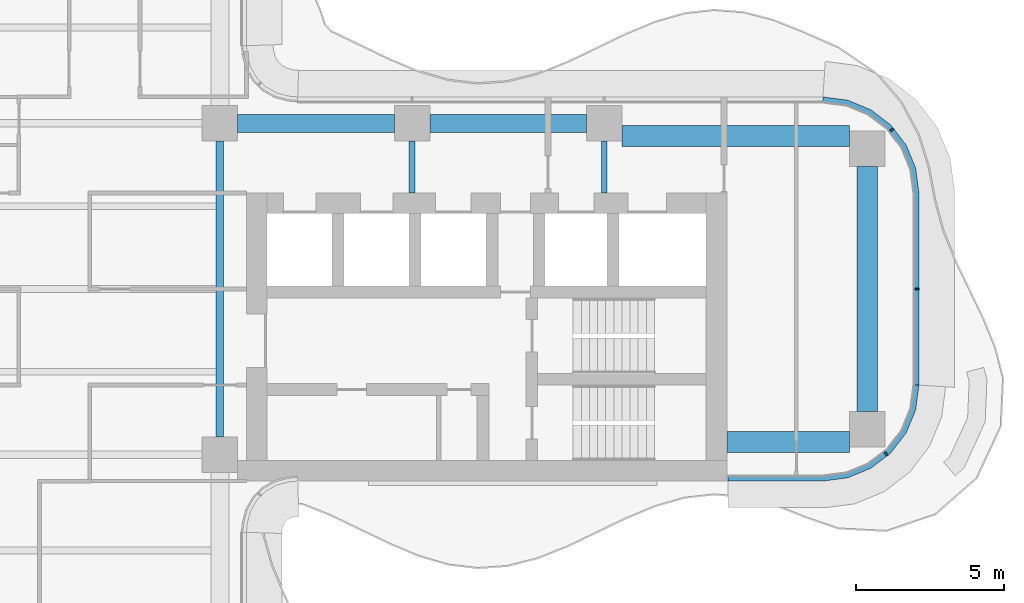
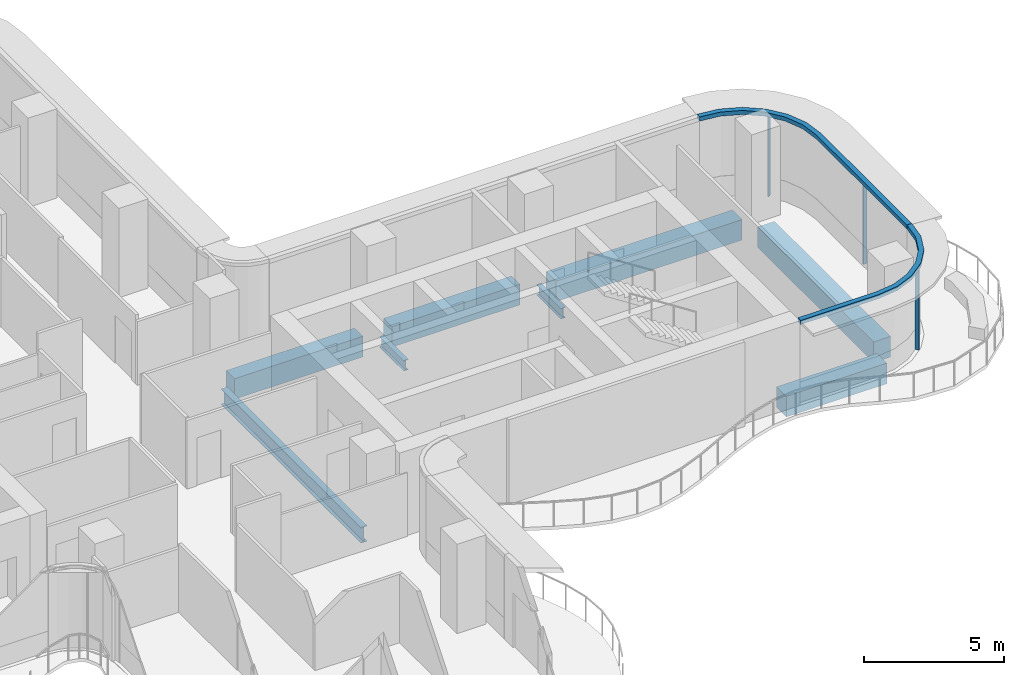
# One storey, part 6 of 17: 8 beams, 5 members, 2 elements without a shape of their own.
"""IFC4 building model written with IfcOpenShell, lengths in metres."""

from ifc_helpers import new_model, si_unit, direction, frame, origin, origin_2d, place, context, subcontext, project, spatial, polyline, rectangle, i_section, outline, extrude, source, transform, mapped, material, layer, layer_set, material_profile, profile_set, type_object, element, aggregate, save


model = new_model("IFC4")

# Units and contexts
model_context = context("Model", 3, precision=1e-05, world=origin(), true_north=direction((0.0, 1.0)))
body_context = subcontext(model_context, "Body", "Model", "MODEL_VIEW")
ifc_project = project(units=[si_unit("LENGTHUNIT", "METRE"), si_unit("AREAUNIT", "SQUARE_METRE"), si_unit("VOLUMEUNIT", "CUBIC_METRE"), si_unit("PLANEANGLEUNIT", "RADIAN"), si_unit("MASSUNIT", "GRAM", prefix="KILO")], contexts=[model_context])

# Site, building, storey
site_placement = place(None, origin())
site = spatial("IfcSite", under=ifc_project, at=site_placement, CompositionType="ELEMENT")
building_placement = place(site_placement, origin())
building = spatial("IfcBuilding", under=site, at=building_placement, Name="Trellis Farm Tower", CompositionType="ELEMENT")
storey_placement = place(building_placement, frame((0.0, 0.0, 162.0)))
storey = spatial("IfcBuildingStorey", under=building, at=storey_placement, Name="L34", CompositionType="ELEMENT", Elevation=162.0)

# Beams
ifc_material_1 = material(Name="Concrete C60/75", Category="concrete")
ifc_material_profile_1 = material_profile(ifc_material_1, rectangle(XDim=0.60009765625, YDim=0.89990234375, at=origin_2d()), Name="RC spandrel beam 600x900 C60/75")
ifc_profile_set_1 = profile_set([ifc_material_profile_1], Name="Concrete C60/75")
beam_type_1 = type_object("IfcBeamType", Name="RC spandrel beam 600x900 C60/75", PredefinedType="SPANDREL", material=ifc_profile_set_1)
shared_shape_1 = source(origin(), body_context, "Body", "SweptSolid", [
    extrude(rectangle(XDim=0.60009765625, YDim=0.89990234375, at=origin_2d()), origin(), (0.0, 0.0, 1.0), 5.300048828125),
])
for number, where, z_axis, x_axis, name in (
    (1, (6.199951171875, 5.60009765625, -0.64990234375), (1.0, 0.0, 0.0), (0.0, 1.0, 0.0), "Girder"),
    (2, (12.699951171875, 5.60009765625, -0.64990234375), (1.0, 0.0, 0.0), (0.0, 1.0, 0.0), "Girder"),
):
    element("IfcBeam", number, at=place(storey_placement, frame(where, z_axis=z_axis, x_axis=x_axis)), inside=storey, type_object=beam_type_1, Name=name, PredefinedType="SPANDREL", context=body_context, shape_type="MappedRepresentation", body=[
        mapped(shared_shape_1, transform((0.0, 0.0, 0.0))),
    ])
ifc_material_2 = material(Name="Steel S355", Category="steel")
ifc_material_profile_2 = material_profile(ifc_material_2, i_section(OverallWidth=0.253662109375, OverallDepth=0.68359375, WebThickness=0.012451171875, FlangeThickness=0.021728515625, FilletRadius=0.01513671875, at=origin_2d()), Name="UB 686x254x140")
ifc_profile_set_2 = profile_set([ifc_material_profile_2], Name="Steel S355")
beam_type_2 = type_object("IfcBeamType", Name="UB 686x254x140", PredefinedType="BEAM", material=ifc_profile_set_2)
shared_shape_2 = source(origin(), body_context, "Body", "SweptSolid", [
    extrude(i_section(OverallWidth=0.253662109375, OverallDepth=0.68359375, WebThickness=0.012451171875, FlangeThickness=0.021728515625, FilletRadius=0.01513671875, at=origin_2d()), origin(), (0.0, 0.0, 1.0), 10.0),
])
beam_1_placement = place(storey_placement, frame((5.60009765625, -5.0, -0.541748046875), z_axis=(0.0, 1.0, 0.0), x_axis=(-1.0, 0.0, 0.0)))
element("IfcBeam", 3, at=beam_1_placement, inside=storey, type_object=beam_type_2, Name="Girder", PredefinedType="BEAM", context=body_context, shape_type="MappedRepresentation", body=[
    mapped(shared_shape_2, transform((0.0, 0.0, 0.0))),
])
ifc_material_profile_3 = material_profile(ifc_material_1, rectangle(XDim=0.699951171875, YDim=0.89990234375, at=origin_2d()), Name="RC spandrel beam 700x900 C60/75")
ifc_profile_set_3 = profile_set([ifc_material_profile_3], Name="Concrete C60/75")
beam_type_3 = type_object("IfcBeamType", Name="RC spandrel beam 700x900 C60/75", PredefinedType="SPANDREL", material=ifc_profile_set_3)
shared_shape_3 = source(origin(), body_context, "Body", "SweptSolid", [
    extrude(rectangle(XDim=0.699951171875, YDim=0.89990234375, at=origin_2d()), origin(), (0.0, 0.0, 1.0), 8.2998046875),
])
beam_2_placement = place(storey_placement, frame((27.5, -4.14990234375, -0.64990234375), z_axis=(0.0, 1.0, 0.0), x_axis=(-1.0, 0.0, 0.0)))
element("IfcBeam", 4, at=beam_2_placement, inside=storey, type_object=beam_type_3, Name="Girder", PredefinedType="SPANDREL", context=body_context, shape_type="MappedRepresentation", body=[
    mapped(shared_shape_3, transform((0.0, 0.0, 0.0))),
])
ifc_material_profile_4 = material_profile(ifc_material_2, i_section(OverallWidth=0.1904296875, OverallDepth=0.45703125, WebThickness=0.009033203125, FlangeThickness=0.014404296875, FilletRadius=0.01025390625, at=origin_2d()), Name="UB 457x191x74")
ifc_profile_set_4 = profile_set([ifc_material_profile_4], Name="Steel S355")
beam_type_4 = type_object("IfcBeamType", Name="UB 457x191x74", PredefinedType="BEAM", material=ifc_profile_set_4)
shared_shape_4 = source(origin(), body_context, "Body", "SweptSolid", [
    extrude(i_section(OverallWidth=0.1904296875, OverallDepth=0.45703125, WebThickness=0.009033203125, FlangeThickness=0.014404296875, FilletRadius=0.01025390625, at=origin_2d()), origin(), (0.0, 0.0, 1.0), 1.75),
])
for number, where, z_axis, x_axis, name in (
    (5, (12.10009765625, 3.25, -0.428466796875), (0.0, 1.0, 0.0), (-1.0, 0.0, 0.0), "Girder"),
    (6, (18.60009765625, 3.25, -0.428466796875), (0.0, 1.0, 0.0), (-1.0, 0.0, 0.0), "Girder"),
):
    element("IfcBeam", number, at=place(storey_placement, frame(where, z_axis=z_axis, x_axis=x_axis)), inside=storey, type_object=beam_type_4, Name=name, PredefinedType="BEAM", context=body_context, shape_type="MappedRepresentation", body=[
        mapped(shared_shape_4, transform((0.0, 0.0, 0.0))),
    ])
shared_shape_5 = source(origin(), body_context, "Body", "SweptSolid", [
    extrude(rectangle(XDim=0.699951171875, YDim=0.89990234375, at=origin_2d()), origin(), (0.0, 0.0, 1.0), 7.699951171875),
])
beam_3_placement = place(storey_placement, frame((19.199951171875, 5.175048828125, -0.64990234375), z_axis=(1.0, 0.0, 0.0), x_axis=(0.0, 1.0, 0.0)))
element("IfcBeam", 7, at=beam_3_placement, inside=storey, type_object=beam_type_3, Name="Girder", PredefinedType="SPANDREL", context=body_context, shape_type="MappedRepresentation", body=[
    mapped(shared_shape_5, transform((0.0, 0.0, 0.0))),
])
shared_shape_6 = source(origin(), body_context, "Body", "SweptSolid", [
    extrude(rectangle(XDim=0.699951171875, YDim=0.89990234375, at=origin_2d()), origin(), (0.0, 0.0, 1.0), 4.14990234375),
])
beam_4_placement = place(storey_placement, frame((22.75, -5.175048828125, -0.64990234375), z_axis=(1.0, 0.0, 0.0), x_axis=(0.0, 1.0, 0.0)))
element("IfcBeam", 8, at=beam_4_placement, inside=storey, type_object=beam_type_3, Name="Girder", PredefinedType="SPANDREL", context=body_context, shape_type="MappedRepresentation", body=[
    mapped(shared_shape_6, transform((0.0, 0.0, 0.0))),
])

# Curtain wall, member
ifc_material_3 = material(Name="Aluminium and glass curtain wall", Category="aluminium")
ifc_layer_1 = layer(ifc_material_3, 0.18994140625)
ifc_layer_set_1 = layer_set([ifc_layer_1], Name="RIBBON CURTAIN WALL CW1")
curtain_wall_type = type_object("IfcCurtainWallType", Name="RIBBON CURTAIN WALL CW1", PredefinedType="NOTDEFINED", material=ifc_layer_set_1)
placement_1 = place(storey_placement, origin())
curtain_wall_1 = element("IfcCurtainWall", 9, at=placement_1, inside=storey, type_object=curtain_wall_type, Name="CW1 006", PredefinedType="NOTDEFINED")
ifc_material_4 = material(Name="Aluminium extrusion 6063-T6", Category="aluminium")
ifc_layer_2 = layer(ifc_material_4, 0.199951171875)
ifc_layer_set_2 = layer_set([ifc_layer_2], Name="Aluminium extrusion 6063-T6")
member_type_1 = type_object("IfcMemberType", Name="CW1 TRANSOM 200x180", PredefinedType="USERDEFINED", material=ifc_layer_set_2)
shared_shape_7 = source(origin(), body_context, "Body", "SweptSolid", [
    extrude(outline(polyline([(22.780029296875, -6.5), (26.0, -6.5), (26.841064453125, -6.38916015625), (27.625, -6.064697265625), (28.298095703125, -5.548095703125), (28.814697265625, -4.875), (29.13916015625, -4.091064453125), (29.25, -3.25), (29.050048828125, -3.23681640625), (28.9443359375, -4.0390625), (28.639892578125, -4.774169921875), (28.155517578125, -5.405517578125), (27.524169921875, -5.889892578125), (26.7890625, -6.1943359375), (25.98681640625, -6.300048828125), (22.780029296875, -6.300048828125), (22.780029296875, -6.5)])), origin(), (0.0, 0.0, 1.0), 0.179931640625),
])
placement_2 = place(storey_placement, frame((0.0, 0.0, 3.52001953125)))
member_1 = element("IfcMember", 10, at=placement_2, type_object=member_type_1, Name="TR1 006", ObjectType="TRANSOM", PredefinedType="USERDEFINED", context=body_context, shape_type="MappedRepresentation", body=[
    mapped(shared_shape_7, transform((0.0, 0.0, 0.0))),
])

curtain_wall_2 = element("IfcCurtainWall", 11, at=placement_1, inside=storey, type_object=curtain_wall_type, Name="CW1 007", PredefinedType="NOTDEFINED")
shared_shape_8 = source(origin(), body_context, "Body", "SweptSolid", [
    extrude(outline(polyline([(29.25, -3.25), (29.25, 3.25), (29.13916015625, 4.091064453125), (28.814697265625, 4.875), (28.298095703125, 5.548095703125), (27.625, 6.064697265625), (26.841064453125, 6.38916015625), (26.0, 6.5), (25.98681640625, 6.300048828125), (26.7890625, 6.1943359375), (27.524169921875, 5.889892578125), (28.155517578125, 5.405517578125), (28.639892578125, 4.774169921875), (28.9443359375, 4.0390625), (29.050048828125, 3.23681640625), (29.050048828125, -3.23681640625), (29.25, -3.25)])), origin(), (0.0, 0.0, 1.0), 0.179931640625),
])
member_2 = element("IfcMember", 12, at=placement_2, type_object=member_type_1, Name="TR1 007", ObjectType="TRANSOM", PredefinedType="USERDEFINED", context=body_context, shape_type="MappedRepresentation", body=[
    mapped(shared_shape_8, transform((0.0, 0.0, 0.0))),
])

# Member
ifc_material_profile_5 = material_profile(ifc_material_4, rectangle(XDim=0.06005859375, YDim=0.14990234375, at=origin_2d()), Name="MULLION 60x150")
ifc_profile_set_5 = profile_set([ifc_material_profile_5], Name="Aluminium extrusion 6063-T6")
member_type_2 = type_object("IfcMemberType", Name="CW1 MULLION 60x150", PredefinedType="MULLION", material=ifc_profile_set_5)
shared_shape_9 = source(origin(), body_context, "Body", "SweptSolid", [
    extrude(rectangle(XDim=0.06005859375, YDim=0.14990234375, at=origin_2d()), origin(), (0.0, 0.0, 1.0), 3.52001953125),
])
member_3_placement = place(storey_placement, frame((28.135498046875, -5.578369140625, 0.0), z_axis=(0.0, 0.0, 1.0), x_axis=(0.793353340291, 0.608761429009, 0.0)))
member_3 = element("IfcMember", 13, at=member_3_placement, type_object=member_type_2, Name="MU1 006-01", PredefinedType="MULLION", context=body_context, shape_type="MappedRepresentation", body=[
    mapped(shared_shape_9, transform((0.0, 0.0, 0.0))),
])

aggregate(curtain_wall_1, [member_3, member_1])

member_4_placement = place(storey_placement, frame((29.175048828125, 0.0, 0.0), z_axis=(0.0, 0.0, 1.0), x_axis=(0.0, 1.0, 0.0)))
member_4 = element("IfcMember", 14, at=member_4_placement, type_object=member_type_2, Name="MU1 007-01", PredefinedType="MULLION", context=body_context, shape_type="MappedRepresentation", body=[
    mapped(shared_shape_9, transform((0.0, 0.0, 0.0))),
])

member_5_placement = place(storey_placement, frame((28.328369140625, 5.385498046875, 0.0), z_axis=(0.0, 0.0, 1.0), x_axis=(-0.608761429009, 0.793353340291, 0.0)))
member_5 = element("IfcMember", 15, at=member_5_placement, type_object=member_type_2, Name="MU1 007-02", PredefinedType="MULLION", context=body_context, shape_type="MappedRepresentation", body=[
    mapped(shared_shape_9, transform((0.0, 0.0, 0.0))),
])

aggregate(curtain_wall_2, [member_4, member_5, member_2])

save(model, "model.ifc")
